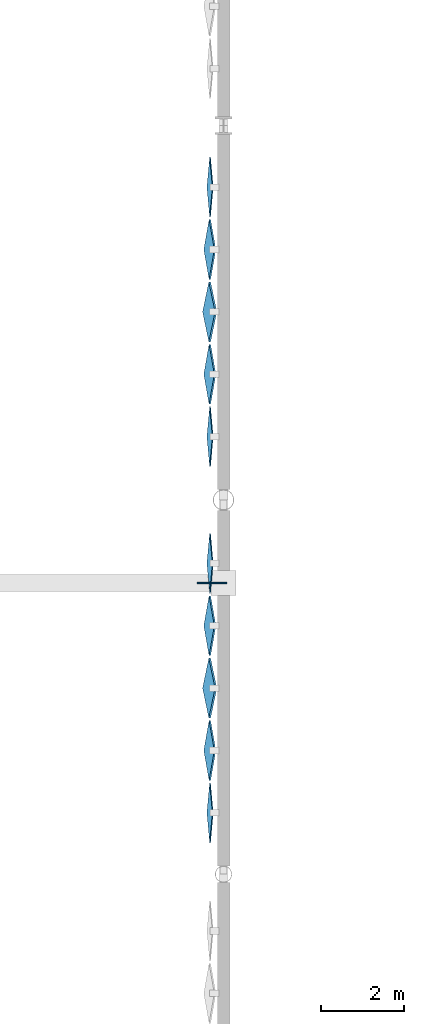
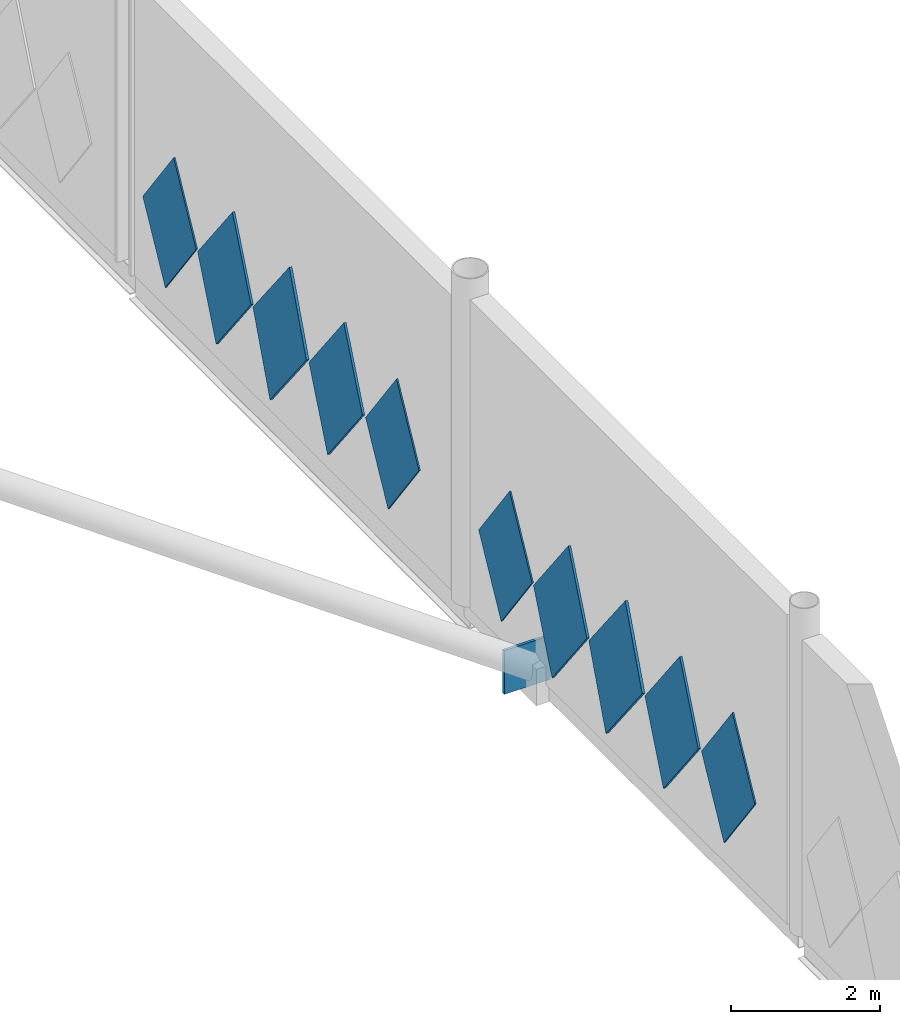
# One storey, part 69 of 119: 11 plates.
"""IFC4 building model written with IfcOpenShell, lengths in metres."""

from ifc_helpers import new_model, si_unit, direction, frame, origin, origin_2d, place, context, subcontext, project, spatial, polyline, rectangle, outline, extrude, material, layer, layer_set, type_object, element, save


model = new_model("IFC4")

# Units and contexts
model_context = context("Model", 3, precision=1e-05, world=origin(), true_north=direction((0.0, 1.0)))
body_context = subcontext(model_context, "Body", "Model", "MODEL_VIEW")
ifc_project = project(units=[si_unit("LENGTHUNIT", "METRE"), si_unit("AREAUNIT", "SQUARE_METRE"), si_unit("VOLUMEUNIT", "CUBIC_METRE"), si_unit("PLANEANGLEUNIT", "RADIAN"), si_unit("MASSUNIT", "GRAM", prefix="KILO")], contexts=[model_context])

# Site, building, storey
site_placement = place(None, origin())
site = spatial("IfcSite", under=ifc_project, at=site_placement, CompositionType="ELEMENT")
building_placement = place(site_placement, origin())
building = spatial("IfcBuilding", under=site, at=building_placement, Name="Qamarlyn Nura Convention Centre", CompositionType="ELEMENT")
storey_placement = place(building_placement, frame((0.0, 0.0, 5.39990234375)))
storey = spatial("IfcBuildingStorey", under=building, at=storey_placement, Name="L01", CompositionType="ELEMENT", Elevation=5.39990234375)

# Plates
ifc_material_1 = material(Name="White high-albedo PVDF aluminium composite sheet", Category="aluminium")
ifc_layer_1 = layer(ifc_material_1, 0.02392578125, Name="FP-DIAM-03")
ifc_layer_set_1 = layer_set([ifc_layer_1], Name="White high-albedo PVDF aluminium composite sheet")
plate_type_1 = type_object("IfcPlateType", Name="FP-DIAM-03", PredefinedType="SHEET", material=ifc_layer_set_1)
for number, where, z_axis, x_axis, name in (
    (1, (-0.31005859375, 46.474609375, 1.7001953125), (-0.998059468659, 0.0, 0.062267945373), (0.0, -1.0, 0.0), "L01 pivoted white diamond facade tile 0064"),
    (2, (-0.31005859375, 52.474609375, 1.7001953125), (-0.998059468659, 0.0, 0.062267945373), (0.0, -1.0, 0.0), "L01 pivoted white diamond facade tile 0068"),
    (3, (-0.31005859375, 55.520751953125, 1.7001953125), (-0.998059468659, 0.0, 0.062267945373), (0.0, -1.0, 0.0), "L01 pivoted white diamond facade tile 0069"),
    (4, (-0.31005859375, 61.520751953125, 1.7001953125), (-0.998059468659, 0.0, 0.062267945373), (0.0, -1.0, 0.0), "L01 pivoted white diamond facade tile 0073"),
):
    element("IfcPlate", number, at=place(storey_placement, frame(where, z_axis=z_axis, x_axis=x_axis)), inside=storey, type_object=plate_type_1, Name=name, PredefinedType="SHEET", context=body_context, shape_type="SweptSolid", body=[
        extrude(outline(polyline([(-0.719970703125, 0.0), (0.0, -1.050048828125), (0.719970703125, 0.0), (0.0, 1.050048828125), (-0.719970703125, 0.0)])), origin(), (0.0, 0.0, 1.0), 0.02392578125),
    ])
ifc_layer_2 = layer(ifc_material_1, 0.0380859375, Name="FP-DIAM-07")
ifc_layer_set_2 = layer_set([ifc_layer_2], Name="White high-albedo PVDF aluminium composite sheet")
plate_type_2 = type_object("IfcPlateType", Name="FP-DIAM-07", PredefinedType="SHEET", material=ifc_layer_set_2)
for number, where, z_axis, x_axis, name in (
    (5, (-0.31005859375, 47.974609375, 1.7001953125), (-0.99271534578, 0.0, 0.120483369194), (0.0, -1.0, 0.0), "L01 pivoted white diamond facade tile 0065"),
    (6, (-0.31005859375, 50.974609375, 1.7001953125), (-0.99271534578, 0.0, 0.120483369194), (0.0, -1.0, 0.0), "L01 pivoted white diamond facade tile 0067"),
    (7, (-0.31005859375, 57.020751953125, 1.7001953125), (-0.99271534578, 0.0, 0.120483369194), (0.0, -1.0, 0.0), "L01 pivoted white diamond facade tile 0070"),
    (8, (-0.31005859375, 60.020751953125, 1.7001953125), (-0.99271534578, 0.0, 0.120483369194), (0.0, -1.0, 0.0), "L01 pivoted white diamond facade tile 0072"),
):
    element("IfcPlate", number, at=place(storey_placement, frame(where, z_axis=z_axis, x_axis=x_axis)), inside=storey, type_object=plate_type_2, Name=name, PredefinedType="SHEET", context=body_context, shape_type="SweptSolid", body=[
        extrude(outline(polyline([(-0.719970703125, 0.0), (0.0, -1.050048828125), (0.719970703125, 0.0), (0.0, 1.050048828125), (-0.719970703125, 0.0)])), origin(), (0.0, 0.0, 1.0), 0.0380859375),
    ])
ifc_layer_3 = layer(ifc_material_1, 0.0439453125, Name="FP-DIAM-08")
ifc_layer_set_3 = layer_set([ifc_layer_3], Name="White high-albedo PVDF aluminium composite sheet")
plate_type_3 = type_object("IfcPlateType", Name="FP-DIAM-08", PredefinedType="SHEET", material=ifc_layer_set_3)
for number, where, z_axis, x_axis, name in (
    (9, (-0.31005859375, 49.474609375, 1.7001953125), (-0.989776230908, 0.0, 0.142628933706), (0.0, -1.0, 0.0), "L01 pivoted white diamond facade tile 0066"),
    (10, (-0.31005859375, 58.520751953125, 1.7001953125), (-0.989776230908, 0.0, 0.142628933706), (0.0, -1.0, 0.0), "L01 pivoted white diamond facade tile 0071"),
):
    element("IfcPlate", number, at=place(storey_placement, frame(where, z_axis=z_axis, x_axis=x_axis)), inside=storey, type_object=plate_type_3, Name=name, PredefinedType="SHEET", context=body_context, shape_type="SweptSolid", body=[
        extrude(outline(polyline([(-0.719970703125, 0.0), (0.0, -1.050048828125), (0.719970703125, 0.0), (0.0, 1.050048828125), (-0.719970703125, 0.0)])), origin(), (0.0, 0.0, 1.0), 0.0439453125),
    ])
ifc_material_2 = material(Name="Structural steel ASTM A572 Grade 50", Category="steel")
ifc_layer_4 = layer(ifc_material_2, 0.0419921875, Name="GP-SN2")
ifc_layer_set_4 = layer_set([ifc_layer_4], Name="Structural steel ASTM A572 Grade 50")
plate_type_4 = type_object("IfcPlateType", Name="GP-SN2", PredefinedType="USERDEFINED", material=ifc_layer_set_4)
plate_placement = place(storey_placement, frame((-0.277099609375, 52.0, -0.16259765625), z_axis=(0.0, 0.0, 1.0), x_axis=(1.0, 0.0, 0.0)))
element("IfcPlate", 11, at=plate_placement, inside=storey, type_object=plate_type_4, Name="Tree strut gusset plate W-4-B", ObjectType="GUSSET PLATE", PredefinedType="USERDEFINED", context=body_context, shape_type="SweptSolid", body=[
    extrude(rectangle(XDim=0.719970703125, YDim=0.0419921875, at=origin_2d()), origin(), (0.0, 0.0, 1.0), 0.719970703125),
])

save(model, "model.ifc")
